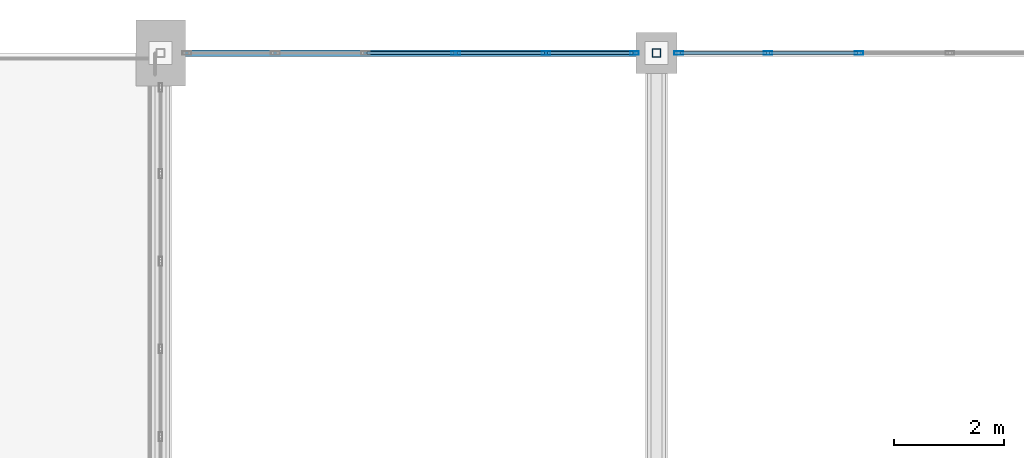
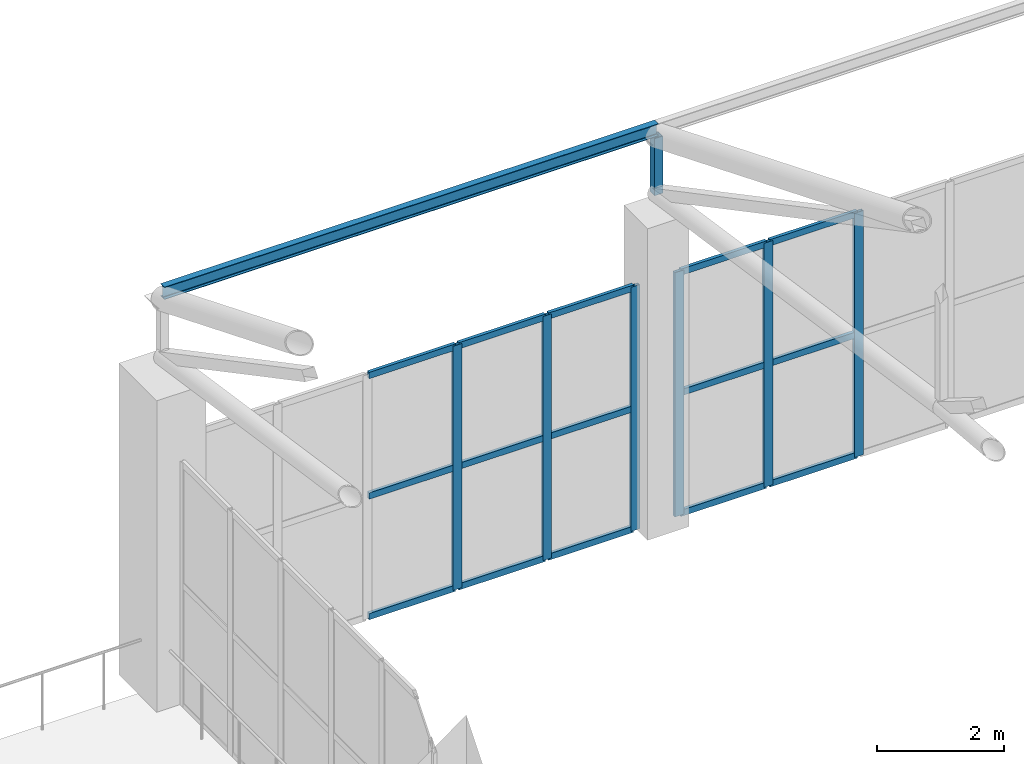
# One storey, part 130 of 223: 23 members, 2 elements without a shape of their own.
"""IFC4 building model written with IfcOpenShell, lengths in metres."""

from ifc_helpers import new_model, si_unit, direction, frame, origin, origin_2d, place, context, subcontext, project, spatial, hollow_rectangle, i_section, extrude, material, layer, layer_set, material_profile, profile_set, type_object, element, aggregate, save


model = new_model("IFC4")

# Units and contexts
model_context = context("Model", 3, precision=1e-05, world=origin(), true_north=direction((0.0, 1.0)))
body_context = subcontext(model_context, "Body", "Model", "MODEL_VIEW")
ifc_project = project(units=[si_unit("LENGTHUNIT", "METRE"), si_unit("AREAUNIT", "SQUARE_METRE"), si_unit("VOLUMEUNIT", "CUBIC_METRE"), si_unit("PLANEANGLEUNIT", "RADIAN"), si_unit("MASSUNIT", "GRAM", prefix="KILO")], contexts=[model_context])

# Site, building, storey
site_placement = place(None, origin())
site = spatial("IfcSite", under=ifc_project, at=site_placement, CompositionType="ELEMENT")
building_placement = place(site_placement, origin())
building = spatial("IfcBuilding", under=site, at=building_placement, Name="Dornveld Trade and Exhibition Forum", CompositionType="ELEMENT")
storey_placement = place(building_placement, frame((0.0, 0.0, 6.0)))
storey = spatial("IfcBuildingStorey", under=building, at=storey_placement, Name="L01", CompositionType="ELEMENT", Elevation=6.0)

# Curtain wall, members
ifc_material_1 = material(Name="Dark-bronze anodised aluminium and low-E glass", Category="aluminium")
ifc_layer_1 = layer(ifc_material_1, 0.177978515625)
ifc_layer_set_1 = layer_set([ifc_layer_1], Name="Dark-bronze anodised aluminium and low-E glass")
curtain_wall_type_1 = type_object("IfcCurtainWallType", Name="CW-SYS-12", PredefinedType="USERDEFINED", material=ifc_layer_set_1)
curtain_wall_1_placement = place(storey_placement, origin())
curtain_wall_1 = element("IfcCurtainWall", 1, at=curtain_wall_1_placement, inside=storey, type_object=curtain_wall_type_1, Name="L01 unitised curtain wall 138", ObjectType="UNITISED_CURTAIN_WALL", PredefinedType="USERDEFINED")
ifc_material_2 = material(Name="Dark-bronze anodised aluminium", Category="aluminium")
ifc_material_profile_1 = material_profile(ifc_material_2, hollow_rectangle(XDim=0.06005859375, YDim=0.159912109375, WallThickness=0.00390625, at=origin_2d()), Name="RHS 160x60x4")
ifc_profile_set_1 = profile_set([ifc_material_profile_1], Name="Dark-bronze anodised aluminium")
member_type_1 = type_object("IfcMemberType", Name="CW-MUL-160", PredefinedType="MULLION", material=ifc_profile_set_1)
member_1_placement = place(storey_placement, frame((107.59912109375, 162.0, -0.00390625), z_axis=(0.0, 0.0, 1.0), x_axis=(0.0, -1.0, 0.0)))
member_1 = element("IfcMember", 2, at=member_1_placement, type_object=member_type_1, Name="CW-12 mullion 1", PredefinedType="MULLION", context=body_context, shape_type="SweptSolid", body=[
    extrude(hollow_rectangle(XDim=0.06005859375, YDim=0.159912109375, WallThickness=0.00390625, at=origin_2d()), origin(), (0.0, 0.0, 1.0), 4.703857421875),
])
member_2_placement = place(storey_placement, frame((105.992431640625, 162.0, -0.00390625), z_axis=(0.0, 0.0, 1.0), x_axis=(0.0, -1.0, 0.0)))
member_2 = element("IfcMember", 3, at=member_2_placement, type_object=member_type_1, Name="CW-12 mullion 2", PredefinedType="MULLION", context=body_context, shape_type="SweptSolid", body=[
    extrude(hollow_rectangle(XDim=0.06005859375, YDim=0.159912109375, WallThickness=0.00390625, at=origin_2d()), origin(), (0.0, 0.0, 1.0), 4.703857421875),
])
member_3_placement = place(storey_placement, frame((104.355712890625, 162.0, -0.00390625), z_axis=(0.0, 0.0, 1.0), x_axis=(0.0, -1.0, 0.0)))
member_3 = element("IfcMember", 4, at=member_3_placement, type_object=member_type_1, Name="CW-12 mullion 3", PredefinedType="MULLION", context=body_context, shape_type="SweptSolid", body=[
    extrude(hollow_rectangle(XDim=0.06005859375, YDim=0.159912109375, WallThickness=0.00390625, at=origin_2d()), origin(), (0.0, 0.0, 1.0), 4.703857421875),
])

ifc_material_3 = material(Name="Dark-bronze anodised aluminium and low-E glass", Category="aluminium")
ifc_layer_2 = layer(ifc_material_3, 0.180908203125)
ifc_layer_set_2 = layer_set([ifc_layer_2], Name="Dark-bronze anodised aluminium and low-E glass")
curtain_wall_type_2 = type_object("IfcCurtainWallType", Name="CW-SYS-13", PredefinedType="USERDEFINED", material=ifc_layer_set_2)
curtain_wall_2_placement = place(storey_placement, origin())
curtain_wall_2 = element("IfcCurtainWall", 5, at=curtain_wall_2_placement, inside=storey, type_object=curtain_wall_type_2, Name="L01 unitised curtain wall 139", ObjectType="UNITISED_CURTAIN_WALL", PredefinedType="USERDEFINED")
member_4_placement = place(storey_placement, frame((111.67431640625, 162.0, -0.00390625), z_axis=(0.0, 0.0, 1.0), x_axis=(0.0, -1.0, 0.0)))
member_4 = element("IfcMember", 6, at=member_4_placement, type_object=member_type_1, Name="CW-13 mullion 4", PredefinedType="MULLION", context=body_context, shape_type="SweptSolid", body=[
    extrude(hollow_rectangle(XDim=0.06005859375, YDim=0.159912109375, WallThickness=0.00390625, at=origin_2d()), origin(), (0.0, 0.0, 1.0), 4.703857421875),
])
member_5_placement = place(storey_placement, frame((110.022705078125, 162.0, -0.00390625), z_axis=(0.0, 0.0, 1.0), x_axis=(0.0, -1.0, 0.0)))
member_5 = element("IfcMember", 7, at=member_5_placement, type_object=member_type_1, Name="CW-13 mullion 5", PredefinedType="MULLION", context=body_context, shape_type="SweptSolid", body=[
    extrude(hollow_rectangle(XDim=0.06005859375, YDim=0.159912109375, WallThickness=0.00390625, at=origin_2d()), origin(), (0.0, 0.0, 1.0), 4.703857421875),
])
member_6_placement = place(storey_placement, frame((108.40087890625, 162.0, -0.00390625), z_axis=(0.0, 0.0, 1.0), x_axis=(0.0, -1.0, 0.0)))
member_6 = element("IfcMember", 8, at=member_6_placement, type_object=member_type_1, Name="CW-13 mullion 6", PredefinedType="MULLION", context=body_context, shape_type="SweptSolid", body=[
    extrude(hollow_rectangle(XDim=0.06005859375, YDim=0.159912109375, WallThickness=0.00390625, at=origin_2d()), origin(), (0.0, 0.0, 1.0), 4.703857421875),
])

# Member
ifc_material_4 = material(Name="Dark-bronze anodised aluminium", Category="aluminium")
ifc_material_profile_2 = material_profile(ifc_material_4, hollow_rectangle(XDim=0.06005859375, YDim=0.1201171875, WallThickness=0.00390625, at=origin_2d()), Name="RHS 120x60x4")
ifc_profile_set_2 = profile_set([ifc_material_profile_2], Name="Dark-bronze anodised aluminium")
member_type_2 = type_object("IfcMemberType", Name="CW-TRN-120", PredefinedType="USERDEFINED", material=ifc_profile_set_2)
member_7_placement = place(storey_placement, frame((107.569091796875, 162.0, 0.02587890625), z_axis=(-1.0, 0.0, 0.0), x_axis=(0.0, -1.0, 0.0)))
member_7 = element("IfcMember", 9, at=member_7_placement, type_object=member_type_2, Name="CW-12 transom 1.1", ObjectType="TRANSOM", PredefinedType="USERDEFINED", context=body_context, shape_type="SweptSolid", body=[
    extrude(hollow_rectangle(XDim=0.06005859375, YDim=0.1201171875, WallThickness=0.00390625, at=origin_2d()), origin(), (0.0, 0.0, 1.0), 1.546630859375),
])

member_8_placement = place(storey_placement, frame((107.569091796875, 162.0, 2.347900390625), z_axis=(-1.0, 0.0, 0.0), x_axis=(0.0, -1.0, 0.0)))
member_8 = element("IfcMember", 10, at=member_8_placement, type_object=member_type_2, Name="CW-12 transom 1.2", ObjectType="TRANSOM", PredefinedType="USERDEFINED", context=body_context, shape_type="SweptSolid", body=[
    extrude(hollow_rectangle(XDim=0.06005859375, YDim=0.1201171875, WallThickness=0.00390625, at=origin_2d()), origin(), (0.0, 0.0, 1.0), 1.546630859375),
])

member_9_placement = place(storey_placement, frame((107.569091796875, 162.0, 4.669921875), z_axis=(-1.0, 0.0, 0.0), x_axis=(0.0, -1.0, 0.0)))
member_9 = element("IfcMember", 11, at=member_9_placement, type_object=member_type_2, Name="CW-12 transom 1.3", ObjectType="TRANSOM", PredefinedType="USERDEFINED", context=body_context, shape_type="SweptSolid", body=[
    extrude(hollow_rectangle(XDim=0.06005859375, YDim=0.1201171875, WallThickness=0.00390625, at=origin_2d()), origin(), (0.0, 0.0, 1.0), 1.546630859375),
])

member_10_placement = place(storey_placement, frame((105.96240234375, 162.0, 0.02587890625), z_axis=(-1.0, 0.0, 0.0), x_axis=(0.0, -1.0, 0.0)))
member_10 = element("IfcMember", 12, at=member_10_placement, type_object=member_type_2, Name="CW-12 transom 2.1", ObjectType="TRANSOM", PredefinedType="USERDEFINED", context=body_context, shape_type="SweptSolid", body=[
    extrude(hollow_rectangle(XDim=0.06005859375, YDim=0.1201171875, WallThickness=0.00390625, at=origin_2d()), origin(), (0.0, 0.0, 1.0), 1.57666015625),
])

member_11_placement = place(storey_placement, frame((105.96240234375, 162.0, 2.347900390625), z_axis=(-1.0, 0.0, 0.0), x_axis=(0.0, -1.0, 0.0)))
member_11 = element("IfcMember", 13, at=member_11_placement, type_object=member_type_2, Name="CW-12 transom 2.2", ObjectType="TRANSOM", PredefinedType="USERDEFINED", context=body_context, shape_type="SweptSolid", body=[
    extrude(hollow_rectangle(XDim=0.06005859375, YDim=0.1201171875, WallThickness=0.00390625, at=origin_2d()), origin(), (0.0, 0.0, 1.0), 1.57666015625),
])

member_12_placement = place(storey_placement, frame((105.96240234375, 162.0, 4.669921875), z_axis=(-1.0, 0.0, 0.0), x_axis=(0.0, -1.0, 0.0)))
member_12 = element("IfcMember", 14, at=member_12_placement, type_object=member_type_2, Name="CW-12 transom 2.3", ObjectType="TRANSOM", PredefinedType="USERDEFINED", context=body_context, shape_type="SweptSolid", body=[
    extrude(hollow_rectangle(XDim=0.06005859375, YDim=0.1201171875, WallThickness=0.00390625, at=origin_2d()), origin(), (0.0, 0.0, 1.0), 1.57666015625),
])

member_13_placement = place(storey_placement, frame((104.32568359375, 162.0, 0.02587890625), z_axis=(-1.0, 0.0, 0.0), x_axis=(0.0, -1.0, 0.0)))
member_13 = element("IfcMember", 15, at=member_13_placement, type_object=member_type_2, Name="CW-12 transom 3.1", ObjectType="TRANSOM", PredefinedType="USERDEFINED", context=body_context, shape_type="SweptSolid", body=[
    extrude(hollow_rectangle(XDim=0.06005859375, YDim=0.1201171875, WallThickness=0.00390625, at=origin_2d()), origin(), (0.0, 0.0, 1.0), 1.576416015625),
])

member_14_placement = place(storey_placement, frame((104.32568359375, 162.0, 2.347900390625), z_axis=(-1.0, 0.0, 0.0), x_axis=(0.0, -1.0, 0.0)))
member_14 = element("IfcMember", 16, at=member_14_placement, type_object=member_type_2, Name="CW-12 transom 3.2", ObjectType="TRANSOM", PredefinedType="USERDEFINED", context=body_context, shape_type="SweptSolid", body=[
    extrude(hollow_rectangle(XDim=0.06005859375, YDim=0.1201171875, WallThickness=0.00390625, at=origin_2d()), origin(), (0.0, 0.0, 1.0), 1.576416015625),
])

member_15_placement = place(storey_placement, frame((104.32568359375, 162.0, 4.669921875), z_axis=(-1.0, 0.0, 0.0), x_axis=(0.0, -1.0, 0.0)))
member_15 = element("IfcMember", 17, at=member_15_placement, type_object=member_type_2, Name="CW-12 transom 3.3", ObjectType="TRANSOM", PredefinedType="USERDEFINED", context=body_context, shape_type="SweptSolid", body=[
    extrude(hollow_rectangle(XDim=0.06005859375, YDim=0.1201171875, WallThickness=0.00390625, at=origin_2d()), origin(), (0.0, 0.0, 1.0), 1.576416015625),
])

aggregate(curtain_wall_1, [member_1, member_2, member_3, member_7, member_8, member_9, member_10, member_11, member_12, member_13, member_14, member_15])

member_16_placement = place(storey_placement, frame((111.644287109375, 162.0, 0.02587890625), z_axis=(-1.0, 0.0, 0.0), x_axis=(0.0, -1.0, 0.0)))
member_16 = element("IfcMember", 18, at=member_16_placement, type_object=member_type_2, Name="CW-13 transom 4.1", ObjectType="TRANSOM", PredefinedType="USERDEFINED", context=body_context, shape_type="SweptSolid", body=[
    extrude(hollow_rectangle(XDim=0.06005859375, YDim=0.1201171875, WallThickness=0.00390625, at=origin_2d()), origin(), (0.0, 0.0, 1.0), 1.591796875),
])

member_17_placement = place(storey_placement, frame((111.644287109375, 162.0, 2.347900390625), z_axis=(-1.0, 0.0, 0.0), x_axis=(0.0, -1.0, 0.0)))
member_17 = element("IfcMember", 19, at=member_17_placement, type_object=member_type_2, Name="CW-13 transom 4.2", ObjectType="TRANSOM", PredefinedType="USERDEFINED", context=body_context, shape_type="SweptSolid", body=[
    extrude(hollow_rectangle(XDim=0.06005859375, YDim=0.1201171875, WallThickness=0.00390625, at=origin_2d()), origin(), (0.0, 0.0, 1.0), 1.591796875),
])

member_18_placement = place(storey_placement, frame((111.644287109375, 162.0, 4.669921875), z_axis=(-1.0, 0.0, 0.0), x_axis=(0.0, -1.0, 0.0)))
member_18 = element("IfcMember", 20, at=member_18_placement, type_object=member_type_2, Name="CW-13 transom 4.3", ObjectType="TRANSOM", PredefinedType="USERDEFINED", context=body_context, shape_type="SweptSolid", body=[
    extrude(hollow_rectangle(XDim=0.06005859375, YDim=0.1201171875, WallThickness=0.00390625, at=origin_2d()), origin(), (0.0, 0.0, 1.0), 1.591796875),
])

member_19_placement = place(storey_placement, frame((109.99267578125, 162.0, 0.02587890625), z_axis=(-1.0, 0.0, 0.0), x_axis=(0.0, -1.0, 0.0)))
member_19 = element("IfcMember", 21, at=member_19_placement, type_object=member_type_2, Name="CW-13 transom 5.1", ObjectType="TRANSOM", PredefinedType="USERDEFINED", context=body_context, shape_type="SweptSolid", body=[
    extrude(hollow_rectangle(XDim=0.06005859375, YDim=0.1201171875, WallThickness=0.00390625, at=origin_2d()), origin(), (0.0, 0.0, 1.0), 1.561767578125),
])

member_20_placement = place(storey_placement, frame((109.99267578125, 162.0, 2.347900390625), z_axis=(-1.0, 0.0, 0.0), x_axis=(0.0, -1.0, 0.0)))
member_20 = element("IfcMember", 22, at=member_20_placement, type_object=member_type_2, Name="CW-13 transom 5.2", ObjectType="TRANSOM", PredefinedType="USERDEFINED", context=body_context, shape_type="SweptSolid", body=[
    extrude(hollow_rectangle(XDim=0.06005859375, YDim=0.1201171875, WallThickness=0.00390625, at=origin_2d()), origin(), (0.0, 0.0, 1.0), 1.561767578125),
])

member_21_placement = place(storey_placement, frame((109.99267578125, 162.0, 4.669921875), z_axis=(-1.0, 0.0, 0.0), x_axis=(0.0, -1.0, 0.0)))
member_21 = element("IfcMember", 23, at=member_21_placement, type_object=member_type_2, Name="CW-13 transom 5.3", ObjectType="TRANSOM", PredefinedType="USERDEFINED", context=body_context, shape_type="SweptSolid", body=[
    extrude(hollow_rectangle(XDim=0.06005859375, YDim=0.1201171875, WallThickness=0.00390625, at=origin_2d()), origin(), (0.0, 0.0, 1.0), 1.561767578125),
])

aggregate(curtain_wall_2, [member_4, member_5, member_6, member_16, member_17, member_18, member_19, member_20, member_21])

# Members
ifc_material_5 = material(Name="Steel S355J2", Category="steel")
ifc_material_profile_3 = material_profile(ifc_material_5, hollow_rectangle(XDim=0.14990234375, YDim=0.14990234375, WallThickness=0.008056640625, at=origin_2d()), Name="SHS 150x150x8")
ifc_profile_set_3 = profile_set([ifc_material_profile_3], Name="Steel S355J2")
member_type_3 = type_object("IfcMemberType", Name="MEM-ARCH-STR", PredefinedType="STRUT", material=ifc_profile_set_3)
member_22_placement = place(storey_placement, frame((108.0, 162.0, 6.35009765625), z_axis=(0.0, 0.0, 1.0), x_axis=(1.0, 0.0, 0.0)))
element("IfcMember", 24, at=member_22_placement, inside=storey, type_object=member_type_3, Name="H1 truss 2 end strut", PredefinedType="STRUT", context=body_context, shape_type="SweptSolid", body=[
    extrude(hollow_rectangle(XDim=0.14990234375, YDim=0.14990234375, WallThickness=0.008056640625, at=origin_2d()), origin(), (0.0, 0.0, 1.0), 1.099853515625),
])
ifc_material_6 = material(Name="Steel S355J2", Category="steel")
ifc_material_profile_4 = material_profile(ifc_material_6, i_section(OverallWidth=0.1201171875, OverallDepth=0.239990234375, WebThickness=0.006103515625, FlangeThickness=0.009765625, FilletRadius=0.014892578125, at=origin_2d()), Name="IPE 240")
ifc_profile_set_4 = profile_set([ifc_material_profile_4], Name="Steel S355J2")
member_type_4 = type_object("IfcMemberType", Name="MEM-PURLIN-240", PredefinedType="PURLIN", material=ifc_profile_set_4)
member_23_placement = place(storey_placement, frame((99.0, 162.0, 7.58203125), z_axis=(1.0, 0.0, 0.0), x_axis=(0.0, 1.0, 0.0)))
element("IfcMember", 25, at=member_23_placement, inside=storey, type_object=member_type_4, Name="H1 bay 1 roof purlin 7", PredefinedType="PURLIN", context=body_context, shape_type="SweptSolid", body=[
    extrude(i_section(OverallWidth=0.1201171875, OverallDepth=0.239990234375, WebThickness=0.006103515625, FlangeThickness=0.009765625, FilletRadius=0.014892578125, at=origin_2d()), origin(), (0.0, 0.0, 1.0), 9.0),
])

save(model, "model.ifc")
